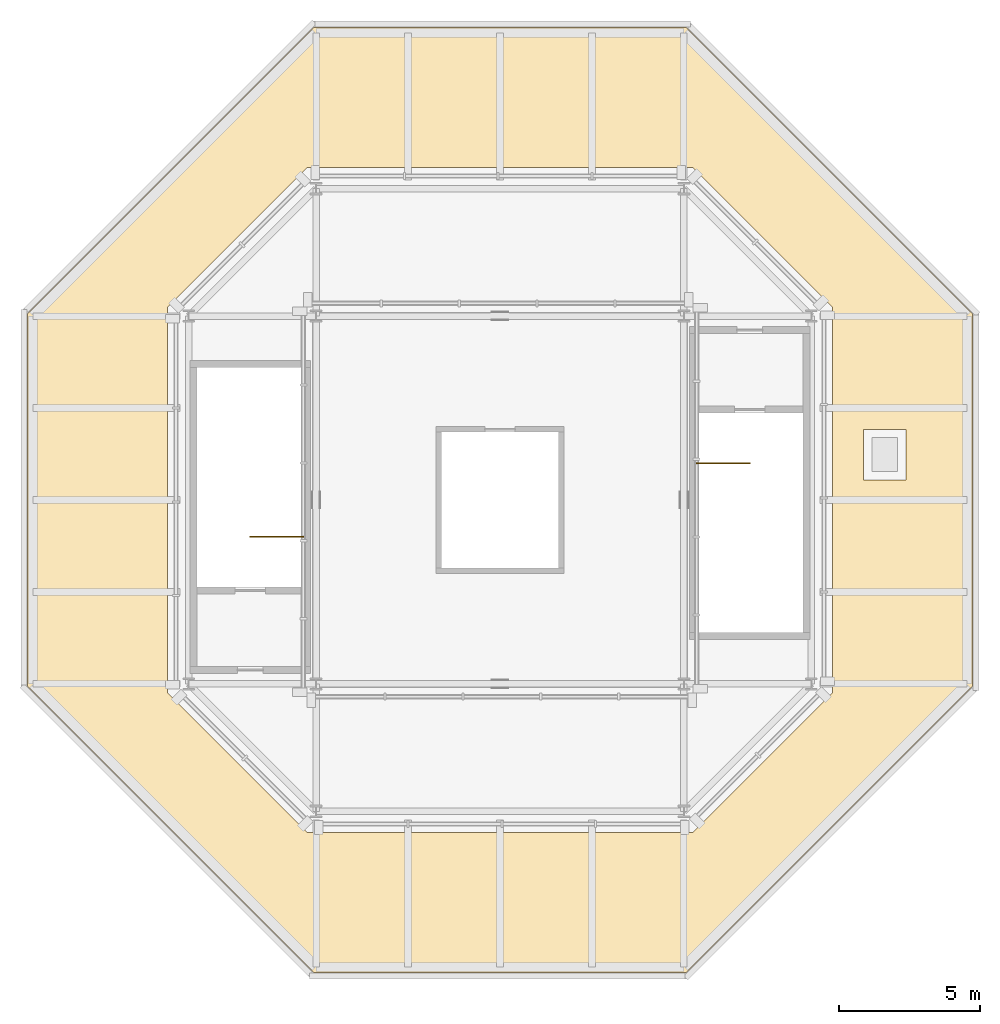
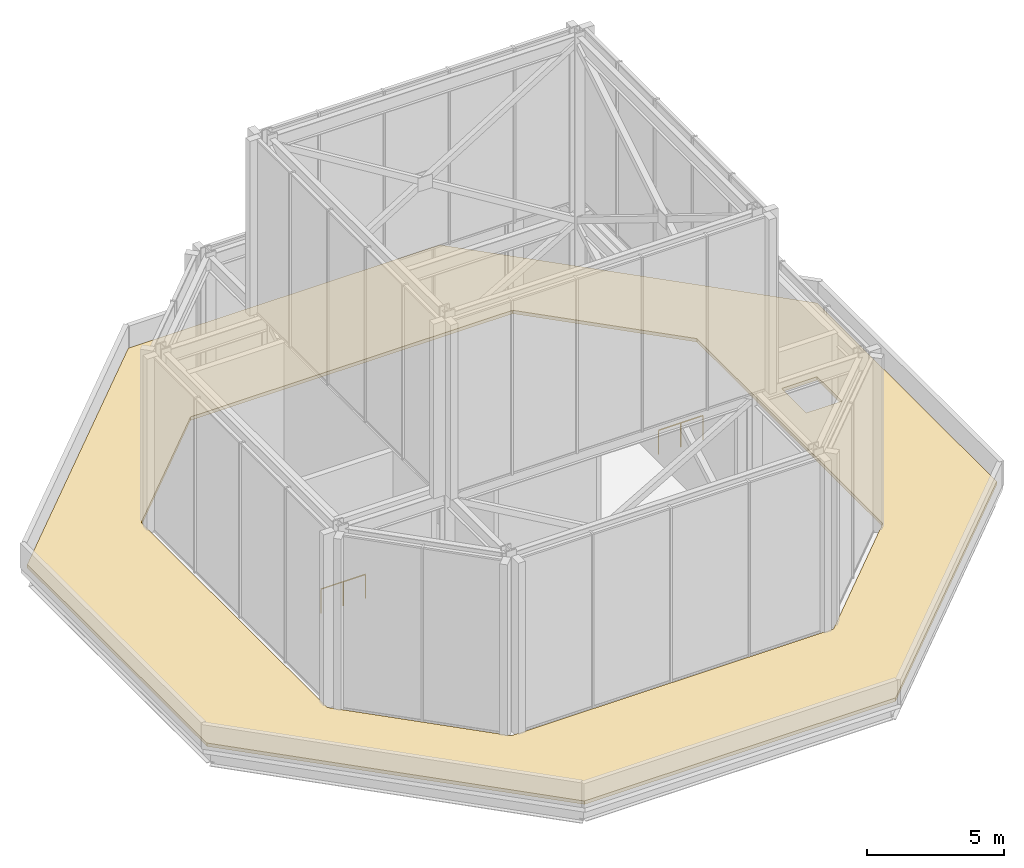
# One storey, part 6 of 6: 2 railings, 1 covering.
"""IFC4 building model written with IfcOpenShell, lengths in metres."""

from ifc_helpers import new_model, si_unit, direction, frame, origin, origin_2d, place, context, subcontext, project, spatial, polyline, circle, outline, extrude, material, layer, layer_set, type_object, element, save


model = new_model("IFC4")

# Units and contexts
model_context = context("Model", 3, precision=1e-05, world=origin(), true_north=direction((0.0, 1.0)))
body_context = subcontext(model_context, "Body", "Model", "MODEL_VIEW")
ifc_project = project(units=[si_unit("LENGTHUNIT", "METRE"), si_unit("AREAUNIT", "SQUARE_METRE"), si_unit("VOLUMEUNIT", "CUBIC_METRE"), si_unit("PLANEANGLEUNIT", "RADIAN"), si_unit("MASSUNIT", "GRAM", prefix="KILO")], contexts=[model_context])

# Site, building, storey
site_placement = place(None, origin())
site = spatial("IfcSite", under=ifc_project, at=site_placement, CompositionType="ELEMENT")
building_placement = place(site_placement, origin())
building = spatial("IfcBuilding", under=site, at=building_placement, Name="Trevanion Tower", CompositionType="ELEMENT")
storey_placement = place(building_placement, frame((0.0, 0.0, 310.199951171875)))
storey = spatial("IfcBuildingStorey", under=building, at=storey_placement, Name="ROOF", CompositionType="ELEMENT", Elevation=310.199951171875)

# Railings
ifc_material_1 = material(Name="Painted steel balusters and stainless steel top rail", Category="steel")
railing_type = type_object("IfcRailingType", Name="GR1 stair guard 1100", PredefinedType="GUARDRAIL", material=ifc_material_1)
railing_1_placement = place(storey_placement, frame((6.949951171875, 1.300048828125, 0.0)))
element("IfcRailing", 1, at=railing_1_placement, inside=storey, type_object=railing_type, Name="GR1 ST1 ROOF top landing guard", PredefinedType="GUARDRAIL", context=body_context, shape_type="SweptSolid", body=[
    extrude(circle(Radius=0.02490234375, at=origin_2d()), frame((0.0, 0.0, 1.0751953125), z_axis=(1.0, 0.0, 0.0), x_axis=(0.0, 1.0, 0.0)), (0.0, 0.0, 1.0), 1.875),
    extrude(circle(Radius=0.02001953125, at=origin_2d()), origin(), (0.0, 0.0, 1.0), 1.050048828125),
    extrude(circle(Radius=0.02001953125, at=origin_2d()), frame((0.9375, 0.0, 0.0)), (0.0, 0.0, 1.0), 1.050048828125),
    extrude(circle(Radius=0.02001953125, at=origin_2d()), frame((1.875, 0.0, 0.0)), (0.0, 0.0, 1.0), 1.050048828125),
])
railing_2_placement = place(storey_placement, frame((-6.949951171875, -1.300048828125, 0.0)))
element("IfcRailing", 2, at=railing_2_placement, inside=storey, type_object=railing_type, Name="GR1 ST2 ROOF top landing guard", PredefinedType="GUARDRAIL", context=body_context, shape_type="SweptSolid", body=[
    extrude(circle(Radius=0.02490234375, at=origin_2d()), frame((0.0, 0.0, 1.0751953125), z_axis=(-1.0, 0.0, 0.0), x_axis=(0.0, -1.0, 0.0)), (0.0, 0.0, 1.0), 1.875),
    extrude(circle(Radius=0.02001953125, at=origin_2d()), origin(), (0.0, 0.0, 1.0), 1.050048828125),
    extrude(circle(Radius=0.02001953125, at=origin_2d()), frame((-0.9375, 0.0, 0.0)), (0.0, 0.0, 1.0), 1.050048828125),
    extrude(circle(Radius=0.02001953125, at=origin_2d()), frame((-1.875, 0.0, 0.0)), (0.0, 0.0, 1.0), 1.050048828125),
])

# Covering
ifc_material_2 = material(Name="TPO membrane on tapered polyisocyanurate insulation", Category="membrane")
ifc_layer = layer(ifc_material_2, 0.14990234375)
ifc_layer_set = layer_set([ifc_layer], Name="RF1 insulated membrane roofing 150")
covering_type = type_object("IfcCoveringType", Name="RF1 insulated membrane roofing 150", PredefinedType="ROOFING", material=ifc_layer_set)
covering_placement = place(storey_placement, origin())
element("IfcCovering", 3, at=covering_placement, inside=storey, type_object=covering_type, Name="RF1 main roof", PredefinedType="ROOFING", context=body_context, shape_type="SweptSolid", body=[
    extrude(outline(polyline([(-6.582763671875, -16.699951171875), (-16.699951171875, -6.582763671875), (-16.699951171875, 6.582763671875), (-6.582763671875, 16.699951171875), (6.582763671875, 16.699951171875), (16.699951171875, 6.582763671875), (16.699951171875, -6.582763671875), (6.582763671875, -16.699951171875), (-6.582763671875, -16.699951171875)]), holes=[polyline([(6.810791015625, 11.75), (-6.810791015625, 11.75), (-11.75, 6.810791015625), (-11.75, -6.810791015625), (-6.810791015625, -11.75), (6.810791015625, -11.75), (11.75, -6.810791015625), (11.75, 6.810791015625), (6.810791015625, 11.75)]), polyline([(14.35009765625, 0.699951171875), (14.35009765625, 2.5), (12.85009765625, 2.5), (12.85009765625, 0.699951171875), (14.35009765625, 0.699951171875)])]), origin(), (0.0, 0.0, 1.0), 0.150146484375),
])

save(model, "model.ifc")
